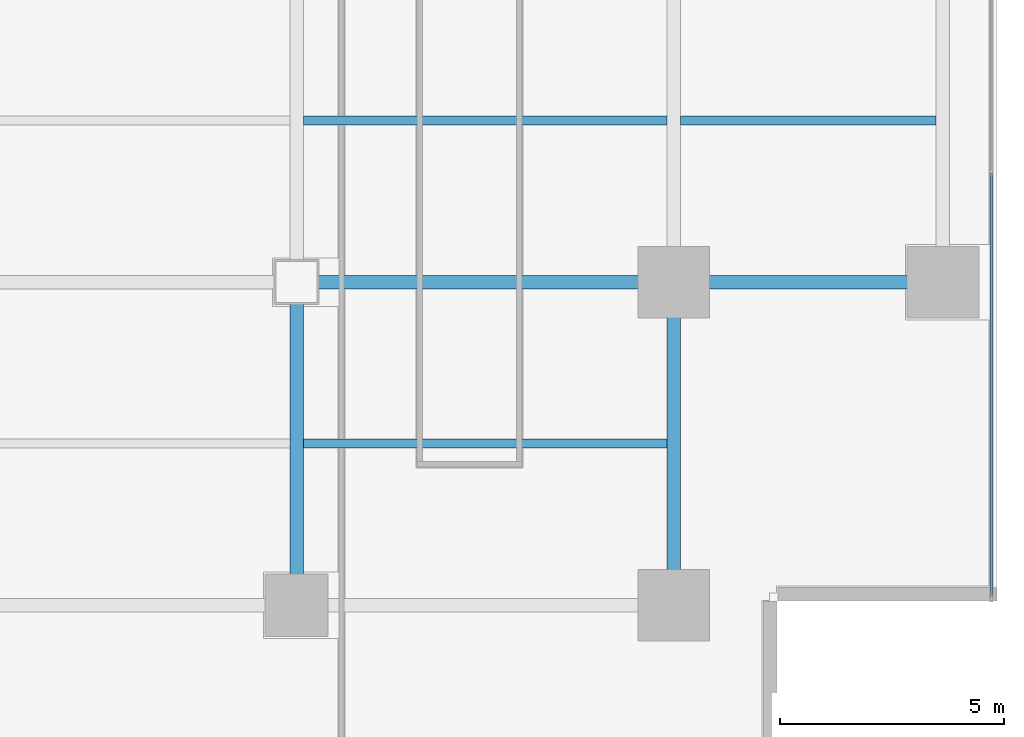
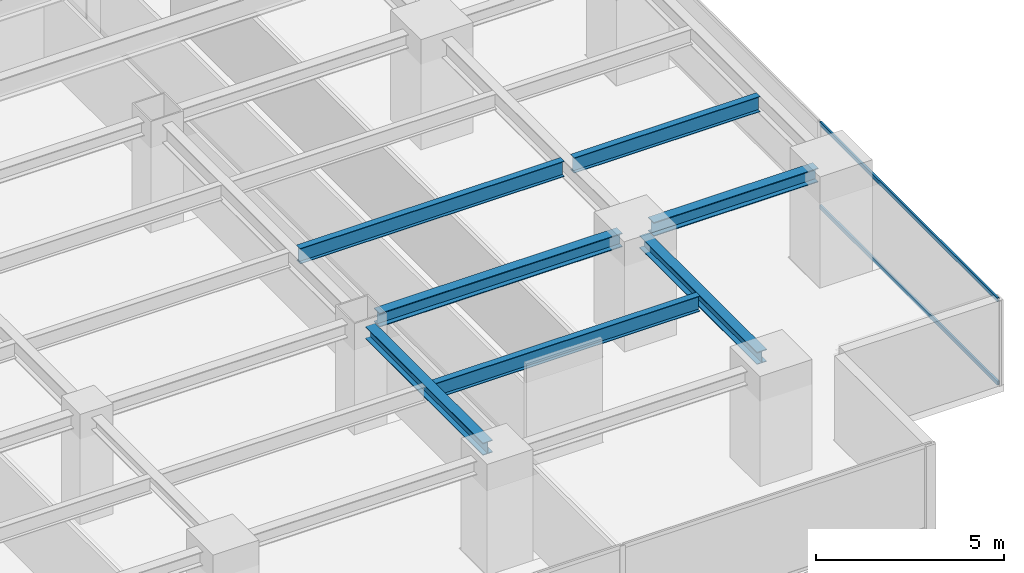
# One storey, part 10 of 27: 7 beams, 2 members, 1 element without a shape of its own.
"""IFC4 building model written with IfcOpenShell, lengths in metres."""

from ifc_helpers import new_model, si_unit, direction, frame, origin, origin_2d, place, context, subcontext, project, spatial, hollow_rectangle, i_section, extrude, source, transform, mapped, material, layer, layer_set, material_profile, profile_set, type_object, element, aggregate, save


model = new_model("IFC4")

# Units and contexts
model_context = context("Model", 3, precision=1e-05, world=origin(), true_north=direction((0.0, 1.0)))
body_context = subcontext(model_context, "Body", "Model", "MODEL_VIEW")
ifc_project = project(units=[si_unit("LENGTHUNIT", "METRE"), si_unit("AREAUNIT", "SQUARE_METRE"), si_unit("VOLUMEUNIT", "CUBIC_METRE"), si_unit("PLANEANGLEUNIT", "RADIAN"), si_unit("MASSUNIT", "GRAM", prefix="KILO")], contexts=[model_context])

# Site, building, storey
site_placement = place(None, origin())
site = spatial("IfcSite", under=ifc_project, at=site_placement, CompositionType="ELEMENT")
building_placement = place(site_placement, origin())
building = spatial("IfcBuilding", under=site, at=building_placement, Name="Sumidabori Civic Tower", CompositionType="ELEMENT")
storey_placement = place(building_placement, frame((0.0, 0.0, 135.199951171875)))
storey = spatial("IfcBuildingStorey", under=building, at=storey_placement, Name="L34", CompositionType="ELEMENT", Elevation=135.199951171875)

# Beams
ifc_material_1 = material(Name="Steel SN490", Category="steel")
ifc_material_profile_1 = material_profile(ifc_material_1, i_section(OverallWidth=0.300048828125, OverallDepth=0.39990234375, WebThickness=0.013427734375, FlangeThickness=0.02392578125, at=origin_2d()), Name="HE 400 B")
ifc_profile_set_1 = profile_set([ifc_material_profile_1], Name="Steel SN490")
beam_type_1 = type_object("IfcBeamType", Name="BM-GIRD-400", PredefinedType="BEAM", material=ifc_profile_set_1)
shared_shape_1 = source(origin(), body_context, "Body", "SweptSolid", [
    extrude(i_section(OverallWidth=0.300048828125, OverallDepth=0.39990234375, WebThickness=0.013427734375, FlangeThickness=0.02392578125, at=origin_2d()), origin(), (0.0, 0.0, 1.0), 6.239990234375),
])
for number, where, z_axis, x_axis, name in (
    (1, (8.39990234375, -17.52001953125, 3.179931640625), (0.0, 1.0, 0.0), (-1.0, 0.0, 0.0), "Primary Girder L34 GY-30"),
    (2, (16.800048828125, -17.52001953125, 3.179931640625), (0.0, 1.0, 0.0), (-1.0, 0.0, 0.0), "Primary Girder L34 GY-32"),
):
    element("IfcBeam", number, at=place(storey_placement, frame(where, z_axis=z_axis, x_axis=x_axis)), inside=storey, type_object=beam_type_1, Name=name, PredefinedType="BEAM", context=body_context, shape_type="MappedRepresentation", body=[
        mapped(shared_shape_1, transform((0.0, 0.0, 0.0), x_axis=(1.0, 0.0, 0.0), y_axis=(0.0, 1.0, 0.0), z_axis=(0.0, 0.0, 1.0), scale=1.0)),
    ])
ifc_material_profile_2 = material_profile(ifc_material_1, i_section(OverallWidth=0.199951171875, OverallDepth=0.5, WebThickness=0.01025390625, FlangeThickness=0.01611328125, at=origin_2d()), Name="IPE 500")
ifc_profile_set_2 = profile_set([ifc_material_profile_2], Name="Steel SN490")
beam_type_2 = type_object("IfcBeamType", Name="BM-JST-500", PredefinedType="JOIST", material=ifc_profile_set_2)
shared_shape_2 = source(origin(), body_context, "Body", "SweptSolid", [
    extrude(i_section(OverallWidth=0.199951171875, OverallDepth=0.5, WebThickness=0.01025390625, FlangeThickness=0.01611328125, at=origin_2d()), origin(), (0.0, 0.0, 1.0), 5.699951171875),
])
beam_1_placement = place(storey_placement, frame((16.949951171875, -7.199951171875, 3.130126953125), z_axis=(1.0, 0.0, 0.0), x_axis=(0.0, 1.0, 0.0)))
element("IfcBeam", 3, at=beam_1_placement, inside=storey, type_object=beam_type_2, Name="Outer Bay Floor Joist L34 JSTO-40", PredefinedType="JOIST", context=body_context, shape_type="MappedRepresentation", body=[
    mapped(shared_shape_2, transform((0.0, 0.0, 0.0), x_axis=(1.0, 0.0, 0.0), y_axis=(0.0, 1.0, 0.0), z_axis=(0.0, 0.0, 1.0), scale=1.0)),
])
shared_shape_3 = source(origin(), body_context, "Body", "SweptSolid", [
    extrude(i_section(OverallWidth=0.199951171875, OverallDepth=0.5, WebThickness=0.01025390625, FlangeThickness=0.01611328125, at=origin_2d()), origin(), (0.0, 0.0, 1.0), 8.099853515625),
])
for number, where, z_axis, x_axis, name in (
    (4, (8.550048828125, -14.39990234375, 3.130126953125), (1.0, 0.0, 0.0), (0.0, 1.0, 0.0), "South Bay Floor Joist L34 JSTS-52"),
    (5, (8.550048828125, -7.199951171875, 3.130126953125), (1.0, 0.0, 0.0), (0.0, 1.0, 0.0), "South Bay Floor Joist L34 JSTS-56"),
):
    element("IfcBeam", number, at=place(storey_placement, frame(where, z_axis=z_axis, x_axis=x_axis)), inside=storey, type_object=beam_type_2, Name=name, PredefinedType="JOIST", context=body_context, shape_type="MappedRepresentation", body=[
        mapped(shared_shape_3, transform((0.0, 0.0, 0.0), x_axis=(1.0, 0.0, 0.0), y_axis=(0.0, 1.0, 0.0), z_axis=(0.0, 0.0, 1.0), scale=1.0)),
    ])
ifc_material_profile_3 = material_profile(ifc_material_1, i_section(OverallWidth=0.300048828125, OverallDepth=0.449951171875, WebThickness=0.013916015625, FlangeThickness=0.02587890625, at=origin_2d()), Name="HE 450 B")
ifc_profile_set_3 = profile_set([ifc_material_profile_3], Name="Steel SN490")
beam_type_3 = type_object("IfcBeamType", Name="BM-GIRD-450", PredefinedType="BEAM", material=ifc_profile_set_3)
shared_shape_4 = source(origin(), body_context, "Body", "SweptSolid", [
    extrude(i_section(OverallWidth=0.300048828125, OverallDepth=0.449951171875, WebThickness=0.013916015625, FlangeThickness=0.02587890625, at=origin_2d()), origin(), (0.0, 0.0, 1.0), 7.440185546875),
])
beam_2_placement = place(storey_placement, frame((8.8798828125, -10.800048828125, 3.155029296875), z_axis=(1.0, 0.0, 0.0), x_axis=(0.0, 1.0, 0.0)))
element("IfcBeam", 6, at=beam_2_placement, inside=storey, type_object=beam_type_3, Name="Primary Girder L34 GX-09", PredefinedType="BEAM", context=body_context, shape_type="MappedRepresentation", body=[
    mapped(shared_shape_4, transform((0.0, 0.0, 0.0), x_axis=(1.0, 0.0, 0.0), y_axis=(0.0, 1.0, 0.0), z_axis=(0.0, 0.0, 1.0), scale=1.0)),
])
shared_shape_5 = source(origin(), body_context, "Body", "SweptSolid", [
    extrude(i_section(OverallWidth=0.300048828125, OverallDepth=0.449951171875, WebThickness=0.013916015625, FlangeThickness=0.02587890625, at=origin_2d()), origin(), (0.0, 0.0, 1.0), 5.0400390625),
])
beam_3_placement = place(storey_placement, frame((17.280029296875, -10.800048828125, 3.155029296875), z_axis=(1.0, 0.0, 0.0), x_axis=(0.0, 1.0, 0.0)))
element("IfcBeam", 7, at=beam_3_placement, inside=storey, type_object=beam_type_3, Name="Primary Girder L34 GX-10", PredefinedType="BEAM", context=body_context, shape_type="MappedRepresentation", body=[
    mapped(shared_shape_5, transform((0.0, 0.0, 0.0), x_axis=(1.0, 0.0, 0.0), y_axis=(0.0, 1.0, 0.0), z_axis=(0.0, 0.0, 1.0), scale=1.0)),
])

# Curtain wall, members
ifc_material_2 = material(Name="Anodised Bronze Aluminium AW-6063-T6", Category="aluminium")
ifc_layer = layer(ifc_material_2, 0.179931640625, Name="Anodised Bronze Aluminium AW-6063-T6")
ifc_layer_set = layer_set([ifc_layer], Name="Anodised Bronze Aluminium AW-6063-T6")
curtain_wall_type = type_object("IfcCurtainWallType", Name="CW-SYS-3", PredefinedType="NOTDEFINED", material=ifc_layer_set)
curtain_wall_placement = place(storey_placement, origin())
curtain_wall = element("IfcCurtainWall", 8, at=curtain_wall_placement, inside=storey, type_object=curtain_wall_type, Name="Curtain Wall CW:L34:R04", PredefinedType="NOTDEFINED")
ifc_material_profile_4 = material_profile(ifc_material_2, hollow_rectangle(XDim=0.06005859375, YDim=0.1298828125, WallThickness=0.0048828125, at=origin_2d()), Name="ALU TRANSOM 130x60")
ifc_profile_set_4 = profile_set([ifc_material_profile_4], Name="Anodised Bronze Aluminium AW-6063-T6")
member_type = type_object("IfcMemberType", Name="CW-TRN-130", PredefinedType="USERDEFINED", material=ifc_profile_set_4)
shared_shape_6 = source(origin(), body_context, "Body", "SweptSolid", [
    extrude(hollow_rectangle(XDim=0.06005859375, YDim=0.1298828125, WallThickness=0.0048828125, at=origin_2d()), origin(), (0.0, 0.0, 1.0), 9.4375),
])
member_1_placement = place(storey_placement, frame((23.8798828125, -17.804931640625, 0.030029296875), z_axis=(0.0, 1.0, 0.0), x_axis=(-1.0, 0.0, 0.0)))
member_1 = element("IfcMember", 9, at=member_1_placement, type_object=member_type, Name="CW-3 transom 1.1", ObjectType="TRANSOM", PredefinedType="USERDEFINED", context=body_context, shape_type="MappedRepresentation", body=[
    mapped(shared_shape_6, transform((0.0, 0.0, 0.0), x_axis=(1.0, 0.0, 0.0), y_axis=(0.0, 1.0, 0.0), z_axis=(0.0, 0.0, 1.0), scale=1.0)),
])
member_2_placement = place(storey_placement, frame((23.8798828125, -17.804931640625, 2.72998046875), z_axis=(0.0, 1.0, 0.0), x_axis=(-1.0, 0.0, 0.0)))
member_2 = element("IfcMember", 10, at=member_2_placement, type_object=member_type, Name="CW-3 transom 1.2", ObjectType="TRANSOM", PredefinedType="USERDEFINED", context=body_context, shape_type="MappedRepresentation", body=[
    mapped(shared_shape_6, transform((0.0, 0.0, 0.0), x_axis=(1.0, 0.0, 0.0), y_axis=(0.0, 1.0, 0.0), z_axis=(0.0, 0.0, 1.0), scale=1.0)),
])
aggregate(curtain_wall, [member_1, member_2])

save(model, "model.ifc")
